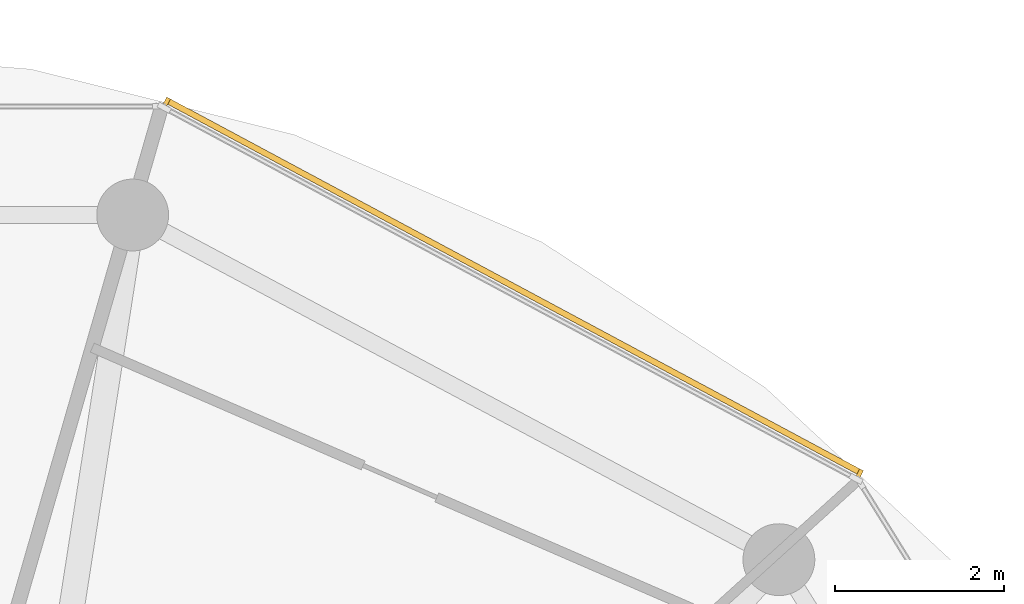
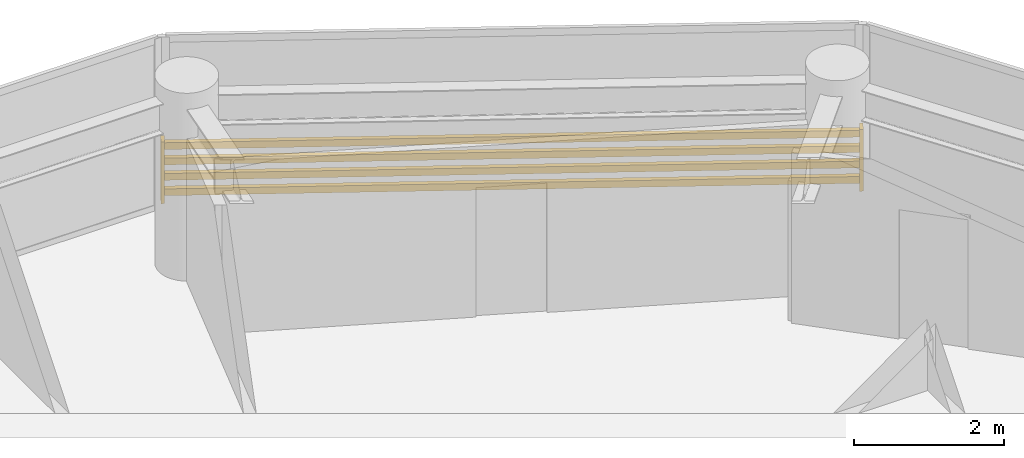
# One storey, part 24 of 25: 1 shading device.
"""IFC4 building model written with IfcOpenShell, lengths in metres."""

from ifc_helpers import new_model, si_unit, direction, frame, origin, origin_2d, place, context, subcontext, project, spatial, rectangle, extrude, source, transform, mapped, material, type_object, type_shapes, element, save


model = new_model("IFC4")

# Units and contexts
model_context = context("Model", 3, precision=1e-05, world=origin(), true_north=direction((0.0, 1.0)))
body_context = subcontext(model_context, "Body", "Model", "MODEL_VIEW")
ifc_project = project(units=[si_unit("LENGTHUNIT", "METRE"), si_unit("AREAUNIT", "SQUARE_METRE"), si_unit("VOLUMEUNIT", "CUBIC_METRE"), si_unit("PLANEANGLEUNIT", "RADIAN"), si_unit("MASSUNIT", "GRAM", prefix="KILO")], contexts=[model_context])

# Site, building, storey
site_placement = place(None, origin())
site = spatial("IfcSite", under=ifc_project, at=site_placement, CompositionType="ELEMENT")
building_placement = place(site_placement, origin())
building = spatial("IfcBuilding", under=site, at=building_placement, Name="Norrkilde Senior Care Towers", CompositionType="ELEMENT")
storey_placement = place(building_placement, frame((0.0, 0.0, 84.050048828125)))
storey = spatial("IfcBuildingStorey", under=building, at=storey_placement, Name="L25", CompositionType="ELEMENT", Elevation=84.050048828125)

# Shading device
ifc_material = material(Name="Architectural Terracotta", Category="masonry")
shading_device_type = type_object("IfcShadingDeviceType", Name="Horizontal Terracotta Baguette Rack", PredefinedType="USERDEFINED", material=ifc_material)
shared_shape = source(origin(), body_context, "Body", "SweptSolid", [
    extrude(rectangle(XDim=0.070068359375, YDim=0.110107421875, at=origin_2d()), frame((0.0, 0.090087890625, 0.125), z_axis=(1.0, 0.0, 0.0), x_axis=(0.0, 1.0, 0.0)), (0.0, 0.0, 1.0), 9.3505859375),
    extrude(rectangle(XDim=0.070068359375, YDim=0.110107421875, at=origin_2d()), frame((0.0, 0.090087890625, 0.375), z_axis=(1.0, 0.0, 0.0), x_axis=(0.0, 1.0, 0.0)), (0.0, 0.0, 1.0), 9.3505859375),
    extrude(rectangle(XDim=0.070068359375, YDim=0.110107421875, at=origin_2d()), frame((0.0, 0.090087890625, 0.625), z_axis=(1.0, 0.0, 0.0), x_axis=(0.0, 1.0, 0.0)), (0.0, 0.0, 1.0), 9.3505859375),
    extrude(rectangle(XDim=0.070068359375, YDim=0.110107421875, at=origin_2d()), frame((0.0, 0.090087890625, 0.875), z_axis=(1.0, 0.0, 0.0), x_axis=(0.0, 1.0, 0.0)), (0.0, 0.0, 1.0), 9.3505859375),
    extrude(rectangle(XDim=0.050048828125, YDim=0.1552734375, at=origin_2d()), frame((0.02490234375, 0.047607421875, 0.0)), (0.0, 0.0, 1.0), 1.0),
    extrude(rectangle(XDim=0.050048828125, YDim=0.1552734375, at=origin_2d()), frame((9.32568359375, 0.047607421875, 0.0)), (0.0, 0.0, 1.0), 1.0),
])
type_shapes(shading_device_type, [shared_shape])
shading_device_placement = place(storey_placement, frame((30.70703125, 16.498046875, 0.079833984375), z_axis=(0.0, 0.0, 1.0), x_axis=(0.881174934726, -0.472767624021, 0.0)))
element("IfcShadingDevice", 1, at=shading_device_placement, inside=storey, type_object=shading_device_type, Name="L25 Drum E Terracotta Baguette Screen 01", ObjectType="BAGUETTE", PredefinedType="USERDEFINED", context=body_context, shape_type="MappedRepresentation", body=[
    mapped(shared_shape, transform((0.0, 0.0, 0.0), x_axis=(1.0, 0.0, 0.0), y_axis=(0.0, 1.0, 0.0), z_axis=(0.0, 0.0, 1.0), scale=1.0)),
])

save(model, "model.ifc")
